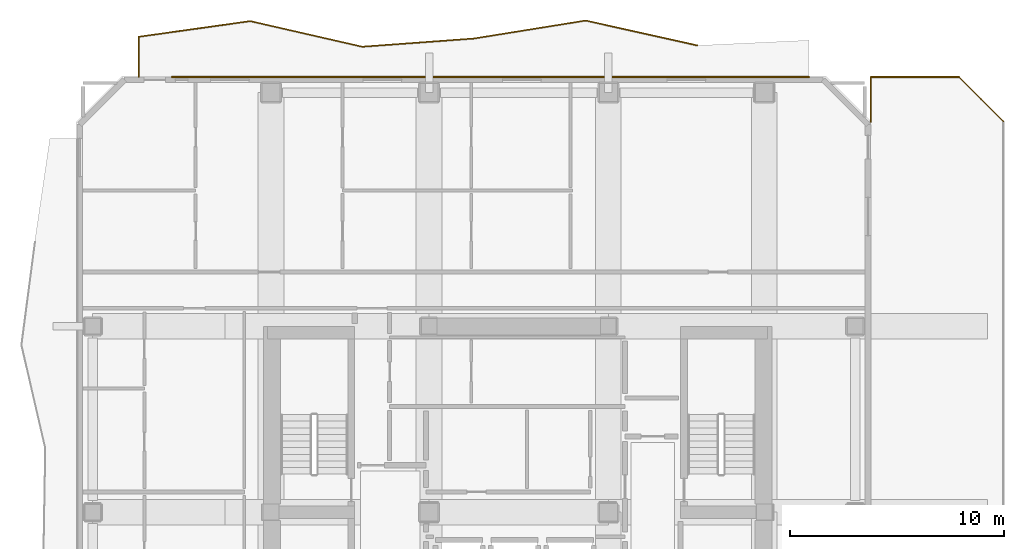
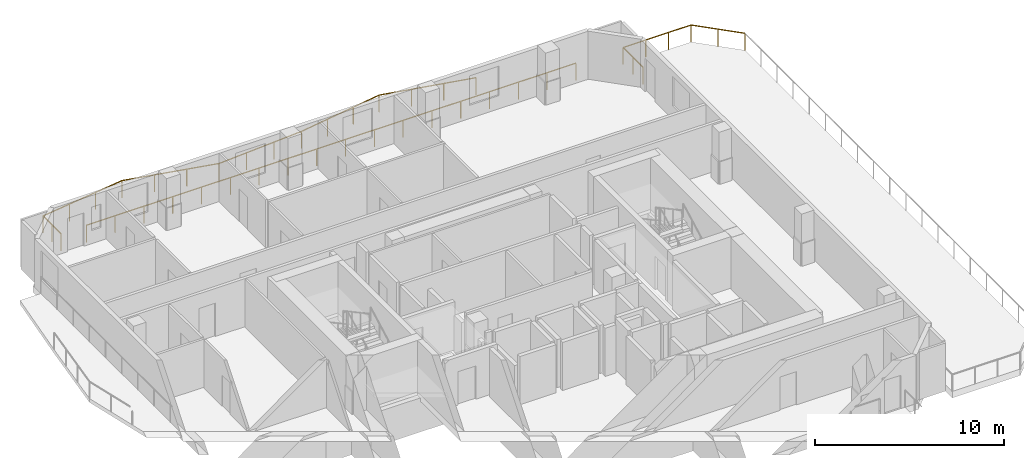
# One storey, part 10 of 10: 5 railings.
"""IFC4 building model written with IfcOpenShell, lengths in metres."""

from ifc_helpers import new_model, si_unit, direction, frame, origin, origin_2d, place, context, subcontext, project, spatial, rectangle, extrude, material, type_object, element, save


model = new_model("IFC4")

# Units and contexts
model_context = context("Model", 3, precision=1e-05, world=origin(), true_north=direction((0.0, 1.0)))
body_context = subcontext(model_context, "Body", "Model", "MODEL_VIEW")
ifc_project = project(units=[si_unit("LENGTHUNIT", "METRE"), si_unit("AREAUNIT", "SQUARE_METRE"), si_unit("VOLUMEUNIT", "CUBIC_METRE"), si_unit("PLANEANGLEUNIT", "RADIAN"), si_unit("MASSUNIT", "GRAM", prefix="KILO")], contexts=[model_context])

# Site, building, storey
site_placement = place(None, origin())
site = spatial("IfcSite", under=ifc_project, at=site_placement, CompositionType="ELEMENT")
building_placement = place(site_placement, origin())
building = spatial("IfcBuilding", under=site, at=building_placement, Name="Solanera Arch Residences", CompositionType="ELEMENT")
storey_placement = place(building_placement, frame((0.0, 0.0, 251.199951171875)))
storey = spatial("IfcBuildingStorey", under=building, at=storey_placement, Name="L73", CompositionType="ELEMENT", Elevation=251.199951171875)

# Railings
ifc_material = material(Name="Steel S355 (ASTM A992 / A572 Grade 50)", Category="steel")
railing_type = type_object("IfcRailingType", Name="Balustrade Railing BL-1100", PredefinedType="BALUSTRADE", material=ifc_material)
railing_1_placement = place(storey_placement, frame((33.366943359375, 52.55810546875, 0.0)))
element("IfcRailing", 1, at=railing_1_placement, inside=storey, type_object=railing_type, Name="L73 N Balcony Balustrade 1", PredefinedType="BALUSTRADE", context=body_context, shape_type="SweptSolid", body=[
    extrude(rectangle(XDim=0.048095703125, YDim=0.048095703125, at=origin_2d()), frame((0.0, 0.0, 1.09619140625), z_axis=(-0.975993857093, 0.217798050766, 0.0), x_axis=(-0.217798050766, -0.975993857093, 0.0)), (0.0, 0.0, 1.0), 5.362548828125),
    extrude(rectangle(XDim=0.048095703125, YDim=0.048095703125, at=origin_2d()), frame((-5.23388671875, 1.16796875, 1.09619140625), z_axis=(-0.98727193269, -0.159041286848, 0.0), x_axis=(0.159041286848, -0.98727193269, 0.0)), (0.0, 0.0, 1.0), 5.300537109375),
    extrude(rectangle(XDim=0.048095703125, YDim=0.048095703125, at=origin_2d()), frame((-10.467041015625, 0.324951171875, 1.09619140625), z_axis=(-0.997331492973, -0.073006117033, 0.0), x_axis=(0.073006117033, -0.997331492973, 0.0)), (0.0, 0.0, 1.0), 5.246826171875),
    extrude(rectangle(XDim=0.048095703125, YDim=0.048095703125, at=origin_2d()), frame((-15.699951171875, -0.05810546875, 1.09619140625), z_axis=(-0.974750877507, 0.223295156238, 0.0), x_axis=(-0.223295156238, -0.974750877507, 0.0)), (0.0, 0.0, 1.0), 5.369384765625),
    extrude(rectangle(XDim=0.048095703125, YDim=0.048095703125, at=origin_2d()), frame((-20.933837890625, 1.140869140625, 1.09619140625), z_axis=(-0.990334767123, -0.138697689335, 0.0), x_axis=(0.138697689335, -0.990334767123, 0.0)), (0.0, 0.0, 1.0), 5.2841796875),
    extrude(rectangle(XDim=0.048095703125, YDim=0.048095703125, at=origin_2d()), frame((-26.1669921875, 0.407958984375, 1.09619140625), z_axis=(0.0, -1.0, 0.0), x_axis=(1.0, 0.0, 0.0)), (0.0, 0.0, 1.0), 1.885986328125),
    extrude(rectangle(XDim=0.0419921875, YDim=0.0419921875, at=origin_2d()), origin(), (0.0, 0.0, 1.0), 1.072021484375),
    extrude(rectangle(XDim=0.0419921875, YDim=0.0419921875, at=origin_2d()), frame((-1.74462890625, 0.389404296875, 0.0)), (0.0, 0.0, 1.0), 1.072021484375),
    extrude(rectangle(XDim=0.0419921875, YDim=0.0419921875, at=origin_2d()), frame((-3.4892578125, 0.778564453125, 0.0)), (0.0, 0.0, 1.0), 1.072021484375),
    extrude(rectangle(XDim=0.0419921875, YDim=0.0419921875, at=origin_2d()), frame((-5.23388671875, 1.16796875, 0.0)), (0.0, 0.0, 1.0), 1.072021484375),
    extrude(rectangle(XDim=0.0419921875, YDim=0.0419921875, at=origin_2d()), frame((-6.978271484375, 0.886962890625, 0.0)), (0.0, 0.0, 1.0), 1.072021484375),
    extrude(rectangle(XDim=0.0419921875, YDim=0.0419921875, at=origin_2d()), frame((-8.72265625, 0.60595703125, 0.0)), (0.0, 0.0, 1.0), 1.072021484375),
    extrude(rectangle(XDim=0.0419921875, YDim=0.0419921875, at=origin_2d()), frame((-10.467041015625, 0.324951171875, 0.0)), (0.0, 0.0, 1.0), 1.072021484375),
    extrude(rectangle(XDim=0.0419921875, YDim=0.0419921875, at=origin_2d()), frame((-12.21142578125, 0.197265625, 0.0)), (0.0, 0.0, 1.0), 1.072021484375),
    extrude(rectangle(XDim=0.0419921875, YDim=0.0419921875, at=origin_2d()), frame((-13.95556640625, 0.069580078125, 0.0)), (0.0, 0.0, 1.0), 1.072021484375),
    extrude(rectangle(XDim=0.0419921875, YDim=0.0419921875, at=origin_2d()), frame((-15.699951171875, -0.05810546875, 0.0)), (0.0, 0.0, 1.0), 1.072021484375),
    extrude(rectangle(XDim=0.0419921875, YDim=0.0419921875, at=origin_2d()), frame((-17.444580078125, 0.341552734375, 0.0)), (0.0, 0.0, 1.0), 1.072021484375),
    extrude(rectangle(XDim=0.0419921875, YDim=0.0419921875, at=origin_2d()), frame((-19.189208984375, 0.7412109375, 0.0)), (0.0, 0.0, 1.0), 1.072021484375),
    extrude(rectangle(XDim=0.0419921875, YDim=0.0419921875, at=origin_2d()), frame((-20.933837890625, 1.140869140625, 0.0)), (0.0, 0.0, 1.0), 1.072021484375),
    extrude(rectangle(XDim=0.0419921875, YDim=0.0419921875, at=origin_2d()), frame((-22.67822265625, 0.896484375, 0.0)), (0.0, 0.0, 1.0), 1.072021484375),
    extrude(rectangle(XDim=0.0419921875, YDim=0.0419921875, at=origin_2d()), frame((-24.422607421875, 0.65234375, 0.0)), (0.0, 0.0, 1.0), 1.072021484375),
    extrude(rectangle(XDim=0.0419921875, YDim=0.0419921875, at=origin_2d()), frame((-26.1669921875, 0.407958984375, 0.0)), (0.0, 0.0, 1.0), 1.072021484375),
    extrude(rectangle(XDim=0.0419921875, YDim=0.0419921875, at=origin_2d()), frame((-26.1669921875, -0.53515625, 0.0)), (0.0, 0.0, 1.0), 1.072021484375),
    extrude(rectangle(XDim=0.0419921875, YDim=0.0419921875, at=origin_2d()), frame((-26.1669921875, -1.47802734375, 0.0)), (0.0, 0.0, 1.0), 1.072021484375),
])
railing_2_placement = place(storey_placement, frame((8.751953125, 51.080078125, 0.0)))
element("IfcRailing", 2, at=railing_2_placement, inside=storey, type_object=railing_type, Name="L73 N Balcony Balustrade 2", PredefinedType="BALUSTRADE", context=body_context, shape_type="SweptSolid", body=[
    extrude(rectangle(XDim=0.048095703125, YDim=0.048095703125, at=origin_2d()), frame((0.0, 0.0, 1.09619140625), z_axis=(1.0, 0.0, 0.0), x_axis=(0.0, 1.0, 0.0)), (0.0, 0.0, 1.0), 29.84814453125),
    extrude(rectangle(XDim=0.0419921875, YDim=0.0419921875, at=origin_2d()), origin(), (0.0, 0.0, 1.0), 1.072021484375),
    extrude(rectangle(XDim=0.0419921875, YDim=0.0419921875, at=origin_2d()), frame((1.755859375, 0.0, 0.0)), (0.0, 0.0, 1.0), 1.072021484375),
    extrude(rectangle(XDim=0.0419921875, YDim=0.0419921875, at=origin_2d()), frame((3.511474609375, 0.0, 0.0)), (0.0, 0.0, 1.0), 1.072021484375),
    extrude(rectangle(XDim=0.0419921875, YDim=0.0419921875, at=origin_2d()), frame((5.267333984375, 0.0, 0.0)), (0.0, 0.0, 1.0), 1.072021484375),
    extrude(rectangle(XDim=0.0419921875, YDim=0.0419921875, at=origin_2d()), frame((7.023193359375, 0.0, 0.0)), (0.0, 0.0, 1.0), 1.072021484375),
    extrude(rectangle(XDim=0.0419921875, YDim=0.0419921875, at=origin_2d()), frame((8.77880859375, 0.0, 0.0)), (0.0, 0.0, 1.0), 1.072021484375),
    extrude(rectangle(XDim=0.0419921875, YDim=0.0419921875, at=origin_2d()), frame((10.53466796875, 0.0, 0.0)), (0.0, 0.0, 1.0), 1.072021484375),
    extrude(rectangle(XDim=0.0419921875, YDim=0.0419921875, at=origin_2d()), frame((12.29052734375, 0.0, 0.0)), (0.0, 0.0, 1.0), 1.072021484375),
    extrude(rectangle(XDim=0.0419921875, YDim=0.0419921875, at=origin_2d()), frame((14.046142578125, 0.0, 0.0)), (0.0, 0.0, 1.0), 1.072021484375),
    extrude(rectangle(XDim=0.0419921875, YDim=0.0419921875, at=origin_2d()), frame((15.802001953125, 0.0, 0.0)), (0.0, 0.0, 1.0), 1.072021484375),
    extrude(rectangle(XDim=0.0419921875, YDim=0.0419921875, at=origin_2d()), frame((17.5576171875, 0.0, 0.0)), (0.0, 0.0, 1.0), 1.072021484375),
    extrude(rectangle(XDim=0.0419921875, YDim=0.0419921875, at=origin_2d()), frame((19.3134765625, 0.0, 0.0)), (0.0, 0.0, 1.0), 1.072021484375),
    extrude(rectangle(XDim=0.0419921875, YDim=0.0419921875, at=origin_2d()), frame((21.0693359375, 0.0, 0.0)), (0.0, 0.0, 1.0), 1.072021484375),
    extrude(rectangle(XDim=0.0419921875, YDim=0.0419921875, at=origin_2d()), frame((22.824951171875, 0.0, 0.0)), (0.0, 0.0, 1.0), 1.072021484375),
    extrude(rectangle(XDim=0.0419921875, YDim=0.0419921875, at=origin_2d()), frame((24.580810546875, 0.0, 0.0)), (0.0, 0.0, 1.0), 1.072021484375),
    extrude(rectangle(XDim=0.0419921875, YDim=0.0419921875, at=origin_2d()), frame((26.336669921875, 0.0, 0.0)), (0.0, 0.0, 1.0), 1.072021484375),
    extrude(rectangle(XDim=0.0419921875, YDim=0.0419921875, at=origin_2d()), frame((28.09228515625, 0.0, 0.0)), (0.0, 0.0, 1.0), 1.072021484375),
    extrude(rectangle(XDim=0.0419921875, YDim=0.0419921875, at=origin_2d()), frame((29.84814453125, 0.0, 0.0)), (0.0, 0.0, 1.0), 1.072021484375),
])
railing_3_placement = place(storey_placement, frame((45.6201171875, 51.080078125, 0.0)))
element("IfcRailing", 3, at=railing_3_placement, inside=storey, type_object=railing_type, Name="L73 Sky Terrace Guardrail 1", PredefinedType="BALUSTRADE", context=body_context, shape_type="SweptSolid", body=[
    extrude(rectangle(XDim=0.048095703125, YDim=0.048095703125, at=origin_2d()), frame((0.0, 0.0, 1.09619140625), z_axis=(-1.0, 0.0, 0.0), x_axis=(0.0, -1.0, 0.0)), (0.0, 0.0, 1.0), 4.14013671875),
    extrude(rectangle(XDim=0.0419921875, YDim=0.0419921875, at=origin_2d()), origin(), (0.0, 0.0, 1.0), 1.072021484375),
    extrude(rectangle(XDim=0.0419921875, YDim=0.0419921875, at=origin_2d()), frame((-1.380126953125, 0.0, 0.0)), (0.0, 0.0, 1.0), 1.072021484375),
    extrude(rectangle(XDim=0.0419921875, YDim=0.0419921875, at=origin_2d()), frame((-2.760009765625, 0.0, 0.0)), (0.0, 0.0, 1.0), 1.072021484375),
    extrude(rectangle(XDim=0.0419921875, YDim=0.0419921875, at=origin_2d()), frame((-4.14013671875, 0.0, 0.0)), (0.0, 0.0, 1.0), 1.072021484375),
])
railing_4_placement = place(storey_placement, frame((41.47998046875, 51.080078125, 0.0)))
element("IfcRailing", 4, at=railing_4_placement, inside=storey, type_object=railing_type, Name="L73 Sky Terrace Guardrail 1", PredefinedType="BALUSTRADE", context=body_context, shape_type="SweptSolid", body=[
    extrude(rectangle(XDim=0.048095703125, YDim=0.048095703125, at=origin_2d()), frame((0.0, 0.0, 1.09619140625), z_axis=(0.0, -1.0, 0.0), x_axis=(1.0, 0.0, 0.0)), (0.0, 0.0, 1.0), 2.088134765625),
    extrude(rectangle(XDim=0.0419921875, YDim=0.0419921875, at=origin_2d()), origin(), (0.0, 0.0, 1.0), 1.072021484375),
    extrude(rectangle(XDim=0.0419921875, YDim=0.0419921875, at=origin_2d()), frame((0.0, -1.0439453125, 0.0)), (0.0, 0.0, 1.0), 1.072021484375),
    extrude(rectangle(XDim=0.0419921875, YDim=0.0419921875, at=origin_2d()), frame((0.0, -2.088134765625, 0.0)), (0.0, 0.0, 1.0), 1.072021484375),
])
railing_5_placement = place(storey_placement, frame((47.699951171875, 49.0, 0.0)))
element("IfcRailing", 5, at=railing_5_placement, inside=storey, type_object=railing_type, Name="L73 Sky Terrace Guardrail 1", PredefinedType="BALUSTRADE", context=body_context, shape_type="SweptSolid", body=[
    extrude(rectangle(XDim=0.048095703125, YDim=0.048095703125, at=origin_2d()), frame((0.0, 0.0, 1.09619140625), z_axis=(-0.707065280657, 0.707148279281, 0.0), x_axis=(-0.707148279281, -0.707065280657, 0.0)), (0.0, 0.0, 1.0), 2.94140625),
    extrude(rectangle(XDim=0.0419921875, YDim=0.0419921875, at=origin_2d()), origin(), (0.0, 0.0, 1.0), 1.072021484375),
    extrude(rectangle(XDim=0.0419921875, YDim=0.0419921875, at=origin_2d()), frame((-1.0400390625, 1.0400390625, 0.0)), (0.0, 0.0, 1.0), 1.072021484375),
    extrude(rectangle(XDim=0.0419921875, YDim=0.0419921875, at=origin_2d()), frame((-2.079833984375, 2.080078125, 0.0)), (0.0, 0.0, 1.0), 1.072021484375),
])

save(model, "model.ifc")
